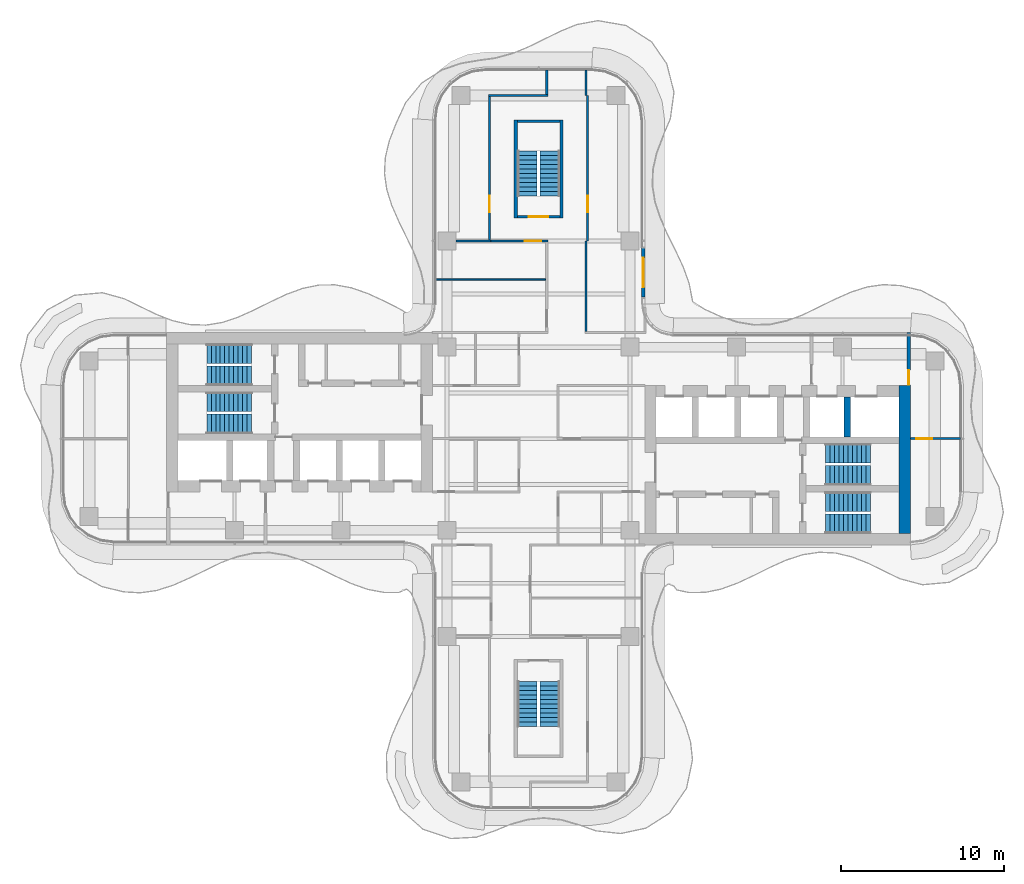
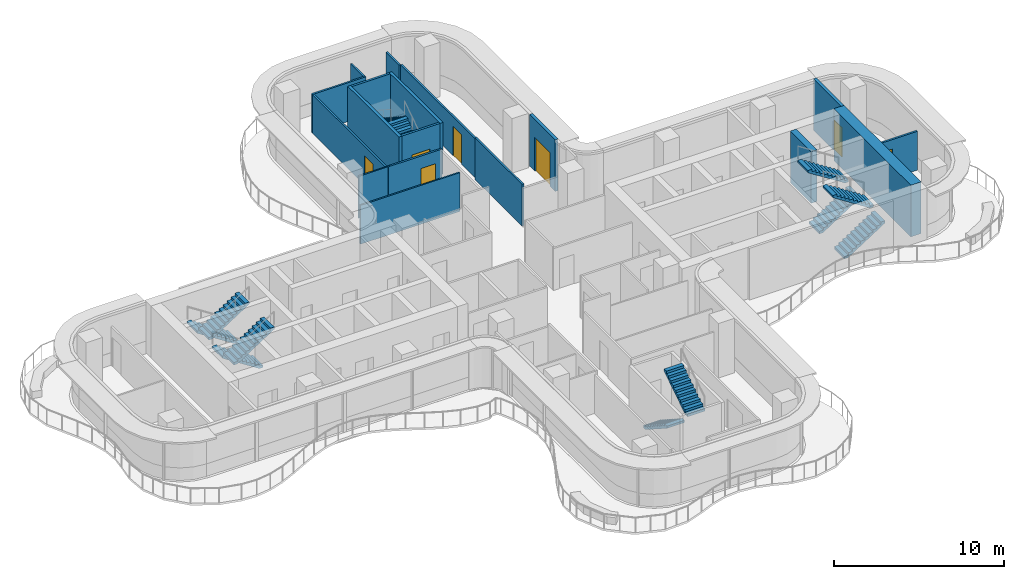
# One storey, part 14 of 16: 18 walls, 12 stair flights, 7 doors, 7 openings, 6 elements without a shape of their own.
"""IFC4 building model written with IfcOpenShell, lengths in metres."""

from ifc_helpers import new_model, si_unit, direction, frame, frame_2d, origin, place, context, subcontext, project, spatial, polyline, rectangle, outline, extrude, source, transform, mapped, material, layer, layer_set, type_object, element, fill, aggregate, save


model = new_model("IFC4")

# Units and contexts
model_context = context("Model", 3, precision=1e-05, world=origin(), true_north=direction((0.0, 1.0)))
body_context = subcontext(model_context, "Body", "Model", "MODEL_VIEW")
ifc_project = project(units=[si_unit("LENGTHUNIT", "METRE"), si_unit("AREAUNIT", "SQUARE_METRE"), si_unit("VOLUMEUNIT", "CUBIC_METRE"), si_unit("PLANEANGLEUNIT", "RADIAN"), si_unit("MASSUNIT", "GRAM", prefix="KILO")], contexts=[model_context])

# Site, building, storey
site_placement = place(None, origin())
site = spatial("IfcSite", under=ifc_project, at=site_placement, CompositionType="ELEMENT")
building_placement = place(site_placement, origin())
building = spatial("IfcBuilding", under=site, at=building_placement, Name="Trellis Farm Tower", CompositionType="ELEMENT")
storey_placement = place(building_placement, frame((0.0, 0.0, 263.60009765625)))
storey = spatial("IfcBuildingStorey", under=building, at=storey_placement, Name="L59", CompositionType="ELEMENT", Elevation=263.60009765625)

# Wall, opening, door
ifc_material_1 = material(Name="Plasterboard on steel studs, mineral wool", Category="steel")
ifc_layer_1 = layer(ifc_material_1, 0.125)
ifc_layer_set_1 = layer_set([ifc_layer_1], Name="PARTITION 125 STUD EI 60")
wall_type_1 = type_object("IfcWallType", Name="PARTITION 125 STUD EI 60", PredefinedType="PARTITIONING", material=ifc_layer_set_1)
wall_1_placement = place(storey_placement, frame((3.0, 21.0, 0.0), z_axis=(0.0, 0.0, 1.0), x_axis=(0.0, -1.0, 0.0)))
wall_1 = element("IfcWall", 1, at=wall_1_placement, inside=storey, type_object=wall_type_1, Name="Partition PW1", PredefinedType="PARTITIONING", context=body_context, shape_type="SweptSolid", body=[
    extrude(rectangle(XDim=8.89990234375, YDim=0.125, at=frame_2d((4.449951171875, 0.0))), origin(), (0.0, 0.0, 1.0), 2.77978515625),
])
shared_shape_1 = source(origin(), body_context, "Body", "SweptSolid", [
    extrude(rectangle(XDim=1.0, YDim=2.10009765625, at=frame_2d((0.5, 1.050048828125))), frame((0.0, 0.072509765625, 0.0), z_axis=(0.0, -1.0, 0.0), x_axis=(1.0, 0.0, 0.0)), (0.0, 0.0, 1.0), 0.14501953125),
])
opening_1_placement = place(wall_1_placement, frame((6.14990234375, 0.0, 0.0)))
opening_1 = element("IfcOpeningElement", 2, at=opening_1_placement, cuts=wall_1, Name="Opening D116", PredefinedType="OPENING", context=body_context, shape_type="MappedRepresentation", body=[
    mapped(shared_shape_1, transform((0.0, 0.0, 0.0))),
])
ifc_material_2 = material(Name="Fire-rated timber door leaf in a hollow metal frame", Category="wood")
door_type_1 = type_object("IfcDoorType", Name="DOOR 1000x2100 FD30S", OperationType="NOTDEFINED", PredefinedType="DOOR", material=ifc_material_2)
shared_shape_2 = source(origin(), body_context, "Body", "SweptSolid", [
    extrude(rectangle(XDim=1.0, YDim=2.10009765625, at=frame_2d((0.5, 1.050048828125))), frame((0.0, 0.02490234375, 0.0), z_axis=(0.0, -1.0, 0.0), x_axis=(1.0, 0.0, 0.0)), (0.0, 0.0, 1.0), 0.050048828125),
])
door_1_placement = place(opening_1_placement, origin())
door_1 = element("IfcDoor", 3, at=door_1_placement, inside=storey, type_object=door_type_1, Name="Door D116", OperationType="SINGLE_SWING_RIGHT", OverallHeight=2.10009765625, OverallWidth=1.0, PredefinedType="DOOR", context=body_context, shape_type="MappedRepresentation", body=[
    mapped(shared_shape_2, transform((0.0, 0.0, 0.0))),
])
fill(opening_1, door_1)

# Walls
ifc_material_3 = material(Name="Concrete C60/75", Category="concrete")
ifc_layer_2 = layer(ifc_material_3, 0.699951171875)
ifc_layer_set_2 = layer_set([ifc_layer_2], Name="CORE OUTER WALL 700 CONCRETE C60/75")
wall_type_2 = type_object("IfcWallType", Name="CORE OUTER WALL 700 CONCRETE C60/75", PredefinedType="SHEAR", material=ifc_layer_set_2)
shared_shape_3 = source(origin(), body_context, "Body", "SweptSolid", [
    extrude(rectangle(XDim=9.050048828125, YDim=0.699951171875, at=frame_2d((4.52490234375, 0.0))), origin(), (0.0, 0.0, 1.0), 3.699951171875),
])
wall_2_placement = place(storey_placement, frame((22.39990234375, -5.800048828125, 0.0), z_axis=(0.0, 0.0, 1.0), x_axis=(0.0, 1.0, 0.0)))
element("IfcWall", 4, at=wall_2_placement, inside=storey, type_object=wall_type_2, Name="Core wall", PredefinedType="SHEAR", context=body_context, shape_type="MappedRepresentation", body=[
    mapped(shared_shape_3, transform((0.0, 0.0, 0.0))),
])
ifc_layer_3 = layer(ifc_material_3, 0.39990234375)
ifc_layer_set_3 = layer_set([ifc_layer_3], Name="CORE INNER WALL 400 CONCRETE C60/75")
wall_type_3 = type_object("IfcWallType", Name="CORE INNER WALL 400 CONCRETE C60/75", PredefinedType="SHEAR", material=ifc_layer_set_3)
shared_shape_4 = source(origin(), body_context, "Body", "SweptSolid", [
    extrude(rectangle(XDim=2.449951171875, YDim=0.39990234375, at=frame_2d((1.22509765625, 0.0))), origin(), (0.0, 0.0, 1.0), 3.699951171875),
])
wall_3_placement = place(storey_placement, frame((18.89990234375, 0.10009765625, 0.0), z_axis=(0.0, 0.0, 1.0), x_axis=(0.0, 1.0, 0.0)))
element("IfcWall", 5, at=wall_3_placement, inside=storey, type_object=wall_type_3, Name="Core wall", PredefinedType="SHEAR", context=body_context, shape_type="MappedRepresentation", body=[
    mapped(shared_shape_4, transform((0.0, 0.0, 0.0))),
])

# Wall, opening, door
ifc_material_4 = material(Name="Masonry blockwork", Category="masonry")
ifc_layer_4 = layer(ifc_material_4, 0.199951171875)
ifc_layer_set_4 = layer_set([ifc_layer_4], Name="FIRE LOBBY PARTITION 200 BLOCKWORK")
wall_type_4 = type_object("IfcWallType", Name="FIRE LOBBY PARTITION 200 BLOCKWORK", PredefinedType="PARTITIONING", material=ifc_layer_set_4)
shared_shape_5 = source(origin(), body_context, "Body", "SweptSolid", [
    extrude(rectangle(XDim=3.25, YDim=0.199951171875, at=frame_2d((1.625, 0.0))), origin(), (0.0, 0.0, 1.0), 3.699951171875),
])
wall_4_placement = place(storey_placement, frame((22.64990234375, 3.25, 0.0), z_axis=(0.0, 0.0, 1.0), x_axis=(0.0, 1.0, 0.0)))
wall_4 = element("IfcWall", 6, at=wall_4_placement, inside=storey, type_object=wall_type_4, Name="Fire-fighting lobby partition", PredefinedType="PARTITIONING", context=body_context, shape_type="MappedRepresentation", body=[
    mapped(shared_shape_5, transform((0.0, 0.0, 0.0))),
])
shared_shape_6 = source(origin(), body_context, "Body", "SweptSolid", [
    extrude(rectangle(XDim=0.89990234375, YDim=2.10009765625, at=frame_2d((0.449951171875, 1.050048828125))), frame((0.0, 0.110107421875, 0.0), z_axis=(0.0, -1.0, 0.0), x_axis=(1.0, 0.0, 0.0)), (0.0, 0.0, 1.0), 0.22021484375),
])
opening_2_placement = place(wall_4_placement, frame((0.050048828125, 0.0, 0.0)))
opening_2 = element("IfcOpeningElement", 7, at=opening_2_placement, cuts=wall_4, Name="Opening DC8", PredefinedType="OPENING", context=body_context, shape_type="MappedRepresentation", body=[
    mapped(shared_shape_6, transform((0.0, 0.0, 0.0))),
])
ifc_material_5 = material(Name="Steel", Category="steel")
door_type_2 = type_object("IfcDoorType", Name="CORE FIRE DOOR 900 X 2100", OperationType="NOTDEFINED", PredefinedType="DOOR", material=ifc_material_5)
shared_shape_7 = source(origin(), body_context, "Body", "SweptSolid", [
    extrude(rectangle(XDim=0.89990234375, YDim=2.10009765625, at=frame_2d((0.449951171875, 1.050048828125))), frame((0.0, 0.02490234375, 0.0), z_axis=(0.0, -1.0, 0.0), x_axis=(1.0, 0.0, 0.0)), (0.0, 0.0, 1.0), 0.050048828125),
])
door_2_placement = place(opening_2_placement, origin())
door_2 = element("IfcDoor", 8, at=door_2_placement, inside=storey, type_object=door_type_2, Name="Core door", OperationType="SINGLE_SWING_RIGHT", OverallHeight=2.10009765625, OverallWidth=0.89990234375, PredefinedType="DOOR", context=body_context, shape_type="MappedRepresentation", body=[
    mapped(shared_shape_7, transform((0.0, 0.0, 0.0))),
])
fill(opening_2, door_2)

# Walls
ifc_layer_5 = layer(ifc_material_3, 0.199951171875)
ifc_layer_set_5 = layer_set([ifc_layer_5], Name="CORE STAIR ENCLOSURE WALL 200 CONCRETE C60/75")
wall_type_5 = type_object("IfcWallType", Name="CORE STAIR ENCLOSURE WALL 200 CONCRETE C60/75", PredefinedType="SHEAR", material=ifc_layer_set_5)
shared_shape_8 = source(origin(), body_context, "Body", "SweptSolid", [
    extrude(rectangle(XDim=6.0, YDim=0.199951171875, at=frame_2d((3.0, 0.0))), origin(), (0.0, 0.0, 1.0), 3.699951171875),
])
for number, where, z_axis, x_axis, name in (
    (9, (-1.39990234375, 13.5, 0.0), (0.0, 0.0, 1.0), (0.0, 1.0, 0.0), "Stair enclosure wall"),
    (10, (1.39990234375, 13.5, 0.0), (0.0, 0.0, 1.0), (0.0, 1.0, 0.0), "Stair enclosure wall"),
):
    element("IfcWall", number, at=place(storey_placement, frame(where, z_axis=z_axis, x_axis=x_axis)), inside=storey, type_object=wall_type_5, Name=name, PredefinedType="SHEAR", context=body_context, shape_type="MappedRepresentation", body=[
        mapped(shared_shape_8, transform((0.0, 0.0, 0.0))),
    ])

# Wall, opening, door
ifc_layer_6 = layer(ifc_material_3, 0.14990234375)
ifc_layer_set_6 = layer_set([ifc_layer_6], Name="CORE STAIR ENCLOSURE WALL 150 CONCRETE C60/75")
wall_type_6 = type_object("IfcWallType", Name="CORE STAIR ENCLOSURE WALL 150 CONCRETE C60/75", PredefinedType="SHEAR", material=ifc_layer_set_6)
shared_shape_9 = source(origin(), body_context, "Body", "SweptSolid", [
    extrude(rectangle(XDim=2.60009765625, YDim=0.14990234375, at=frame_2d((1.300048828125, 0.0))), origin(), (0.0, 0.0, 1.0), 3.699951171875),
])
wall_5_placement = place(storey_placement, frame((-1.300048828125, 13.574951171875, 0.0), z_axis=(0.0, 0.0, 1.0), x_axis=(1.0, 0.0, 0.0)))
wall_5 = element("IfcWall", 11, at=wall_5_placement, inside=storey, type_object=wall_type_6, Name="Stair enclosure wall", PredefinedType="SHEAR", context=body_context, shape_type="MappedRepresentation", body=[
    mapped(shared_shape_9, transform((0.0, 0.0, 0.0))),
])
shared_shape_10 = source(origin(), body_context, "Body", "SweptSolid", [
    extrude(rectangle(XDim=1.199951171875, YDim=2.10009765625, at=frame_2d((0.60009765625, 1.050048828125))), frame((0.0, 0.0849609375, 0.0), z_axis=(0.0, -1.0, 0.0), x_axis=(1.0, 0.0, 0.0)), (0.0, 0.0, 1.0), 0.169921875),
])
opening_3_placement = place(wall_5_placement, frame((0.699951171875, 0.0, 0.0)))
opening_3 = element("IfcOpeningElement", 12, at=opening_3_placement, cuts=wall_5, Name="Opening DC173", PredefinedType="OPENING", context=body_context, shape_type="MappedRepresentation", body=[
    mapped(shared_shape_10, transform((0.0, 0.0, 0.0))),
])
door_type_3 = type_object("IfcDoorType", Name="CORE FIRE DOOR 1200 X 2100", OperationType="NOTDEFINED", PredefinedType="DOOR", material=ifc_material_5)
shared_shape_11 = source(origin(), body_context, "Body", "SweptSolid", [
    extrude(rectangle(XDim=1.199951171875, YDim=2.10009765625, at=frame_2d((0.60009765625, 1.050048828125))), frame((0.0, 0.02490234375, 0.0), z_axis=(0.0, -1.0, 0.0), x_axis=(1.0, 0.0, 0.0)), (0.0, 0.0, 1.0), 0.050048828125),
])
door_3_placement = place(opening_3_placement, origin())
door_3 = element("IfcDoor", 13, at=door_3_placement, inside=storey, type_object=door_type_3, Name="Core door", OperationType="SINGLE_SWING_LEFT", OverallHeight=2.10009765625, OverallWidth=1.199951171875, PredefinedType="DOOR", context=body_context, shape_type="MappedRepresentation", body=[
    mapped(shared_shape_11, transform((0.0, 0.0, 0.0))),
])
fill(opening_3, door_3)

# Wall
wall_6_placement = place(storey_placement, frame((-1.300048828125, 19.425048828125, 0.0), z_axis=(0.0, 0.0, 1.0), x_axis=(1.0, 0.0, 0.0)))
element("IfcWall", 14, at=wall_6_placement, inside=storey, type_object=wall_type_6, Name="Stair enclosure wall", PredefinedType="SHEAR", context=body_context, shape_type="MappedRepresentation", body=[
    mapped(shared_shape_9, transform((0.0, 0.0, 0.0))),
])

# Wall, opening, door
ifc_material_6 = material(Name="Sandstone faced insulated wall", Category="masonry")
ifc_layer_7 = layer(ifc_material_6, 0.199951171875)
ifc_layer_set_7 = layer_set([ifc_layer_7], Name="EXTERNAL INFILL WALL 200")
wall_type_7 = type_object("IfcWallType", Name="EXTERNAL INFILL WALL 200", PredefinedType="SOLIDWALL", material=ifc_layer_set_7)
shared_shape_12 = source(origin(), body_context, "Body", "SweptSolid", [
    extrude(rectangle(XDim=3.0, YDim=0.199951171875, at=frame_2d((1.5, 0.0))), origin(), (0.0, 0.0, 1.0), 3.699951171875),
])
wall_7_placement = place(storey_placement, frame((6.39990234375, 8.665771484375, 0.0), z_axis=(0.0, 0.0, 1.0), x_axis=(0.0, 1.0, 0.0)))
wall_7 = element("IfcWall", 15, at=wall_7_placement, inside=storey, type_object=wall_type_7, Name="EW1 01", PredefinedType="SOLIDWALL", context=body_context, shape_type="MappedRepresentation", body=[
    mapped(shared_shape_12, transform((0.0, 0.0, 0.0))),
])
shared_shape_13 = source(origin(), body_context, "Body", "SweptSolid", [
    extrude(rectangle(XDim=1.800048828125, YDim=2.39990234375, at=frame_2d((0.89990234375, 1.199951171875))), frame((0.0, 0.110107421875, 0.0), z_axis=(0.0, -1.0, 0.0), x_axis=(1.0, 0.0, 0.0)), (0.0, 0.0, 1.0), 0.22021484375),
])
opening_4_placement = place(wall_7_placement, frame((0.60009765625, 0.0, 0.0)))
opening_4 = element("IfcOpeningElement", 16, at=opening_4_placement, cuts=wall_7, Name="Opening ED1", PredefinedType="OPENING", context=body_context, shape_type="MappedRepresentation", body=[
    mapped(shared_shape_13, transform((0.0, 0.0, 0.0))),
])
ifc_material_7 = material(Name="Aluminium framed glazed door", Category="aluminium")
door_type_4 = type_object("IfcDoorType", Name="BALCONY DOOR 1800x2400", OperationType="DOUBLE_DOOR_SINGLE_SWING", PredefinedType="DOOR", material=ifc_material_7)
shared_shape_14 = source(origin(), body_context, "Body", "SweptSolid", [
    extrude(rectangle(XDim=1.800048828125, YDim=2.39990234375, at=frame_2d((0.89990234375, 1.199951171875))), frame((0.0, 0.02490234375, 0.0), z_axis=(0.0, -1.0, 0.0), x_axis=(1.0, 0.0, 0.0)), (0.0, 0.0, 1.0), 0.050048828125),
])
door_4_placement = place(opening_4_placement, origin())
door_4 = element("IfcDoor", 17, at=door_4_placement, inside=storey, type_object=door_type_4, Name="Balcony door", OperationType="DOUBLE_DOOR_SINGLE_SWING", OverallHeight=2.39990234375, OverallWidth=1.800048828125, PredefinedType="DOOR", context=body_context, shape_type="MappedRepresentation", body=[
    mapped(shared_shape_14, transform((0.0, 0.0, 0.0))),
])
fill(opening_4, door_4)

# Wall
shared_shape_15 = source(origin(), body_context, "Body", "SweptSolid", [
    extrude(rectangle(XDim=5.53759765625, YDim=0.125, at=frame_2d((2.768798828125, 0.0))), origin(), (0.0, 0.0, 1.0), 2.99658203125),
])
wall_8_placement = place(storey_placement, frame((2.89990234375, 12.10009765625, 0.0), z_axis=(0.0, 0.0, 1.0), x_axis=(0.0, -1.0, 0.0)))
element("IfcWall", 18, at=wall_8_placement, inside=storey, type_object=wall_type_1, Name="Partition PW1", PredefinedType="PARTITIONING", context=body_context, shape_type="MappedRepresentation", body=[
    mapped(shared_shape_15, transform((0.0, 0.0, 0.0))),
])

# Wall, opening, door
shared_shape_16 = source(origin(), body_context, "Body", "SweptSolid", [
    extrude(rectangle(XDim=3.625, YDim=0.125, at=frame_2d((1.8125, 0.0))), origin(), (0.0, 0.0, 1.0), 2.99658203125),
])
wall_9_placement = place(storey_placement, frame((0.5625, 12.10009765625, 0.0), z_axis=(0.0, 0.0, 1.0), x_axis=(-1.0, 0.0, 0.0)))
wall_9 = element("IfcWall", 19, at=wall_9_placement, inside=storey, type_object=wall_type_1, Name="Partition PW1", PredefinedType="PARTITIONING", context=body_context, shape_type="MappedRepresentation", body=[
    mapped(shared_shape_16, transform((0.0, 0.0, 0.0))),
])
opening_5_placement = place(wall_9_placement, frame((0.41259765625, 0.0, 0.0)))
opening_5 = element("IfcOpeningElement", 20, at=opening_5_placement, cuts=wall_9, Name="Opening D114", PredefinedType="OPENING", context=body_context, shape_type="MappedRepresentation", body=[
    mapped(shared_shape_1, transform((0.0, 0.0, 0.0))),
])
door_5_placement = place(opening_5_placement, origin())
door_5 = element("IfcDoor", 21, at=door_5_placement, inside=storey, type_object=door_type_1, Name="Door D114", OperationType="SINGLE_SWING_LEFT", OverallHeight=2.10009765625, OverallWidth=1.0, PredefinedType="DOOR", context=body_context, shape_type="MappedRepresentation", body=[
    mapped(shared_shape_2, transform((0.0, 0.0, 0.0))),
])
fill(opening_5, door_5)

# Walls
shared_shape_17 = source(origin(), body_context, "Body", "SweptSolid", [
    extrude(rectangle(XDim=1.487548828125, YDim=0.125, at=frame_2d((0.74365234375, 0.0))), origin(), (0.0, 0.0, 1.0), 2.77978515625),
])
wall_10_placement = place(storey_placement, frame((0.5, 22.550048828125, 0.0), z_axis=(0.0, 0.0, 1.0), x_axis=(0.0, -1.0, 0.0)))
element("IfcWall", 22, at=wall_10_placement, inside=storey, type_object=wall_type_1, Name="Partition PW1", PredefinedType="PARTITIONING", context=body_context, shape_type="MappedRepresentation", body=[
    mapped(shared_shape_17, transform((0.0, 0.0, 0.0))),
])
ifc_material_8 = material(Name="Plasterboard on steel studs", Category="steel")
ifc_layer_8 = layer(ifc_material_8, 0.10009765625)
ifc_layer_set_8 = layer_set([ifc_layer_8], Name="PARTITION 100 STUD EI 30")
wall_type_8 = type_object("IfcWallType", Name="PARTITION 100 STUD EI 30", PredefinedType="PARTITIONING", material=ifc_layer_set_8)
shared_shape_18 = source(origin(), body_context, "Body", "SweptSolid", [
    extrude(rectangle(XDim=2.112548828125, YDim=0.10009765625, at=frame_2d((1.05615234375, 0.0))), origin(), (0.0, 0.0, 1.0), 2.99658203125),
])
wall_11_placement = place(storey_placement, frame((-5.050048828125, 12.10009765625, 0.0), z_axis=(0.0, 0.0, 1.0), x_axis=(1.0, 0.0, 0.0)))
element("IfcWall", 23, at=wall_11_placement, inside=storey, type_object=wall_type_8, Name="Partition PW2", PredefinedType="PARTITIONING", context=body_context, shape_type="MappedRepresentation", body=[
    mapped(shared_shape_18, transform((0.0, 0.0, 0.0))),
])

# Wall, opening, door
shared_shape_19 = source(origin(), body_context, "Body", "SweptSolid", [
    extrude(rectangle(XDim=8.78759765625, YDim=0.125, at=frame_2d((4.393798828125, 0.0))), origin(), (0.0, 0.0, 1.0), 2.77978515625),
])
wall_12_placement = place(storey_placement, frame((-3.0, 12.14990234375, 0.0), z_axis=(0.0, 0.0, 1.0), x_axis=(0.0, 1.0, 0.0)))
wall_12 = element("IfcWall", 24, at=wall_12_placement, inside=storey, type_object=wall_type_1, Name="Partition PW1", PredefinedType="PARTITIONING", context=body_context, shape_type="MappedRepresentation", body=[
    mapped(shared_shape_19, transform((0.0, 0.0, 0.0))),
])
opening_6_placement = place(wall_12_placement, frame((1.699951171875, 0.0, 0.0)))
opening_6 = element("IfcOpeningElement", 25, at=opening_6_placement, cuts=wall_12, Name="Opening D115", PredefinedType="OPENING", context=body_context, shape_type="MappedRepresentation", body=[
    mapped(shared_shape_1, transform((0.0, 0.0, 0.0))),
])
door_6_placement = place(opening_6_placement, origin())
door_6 = element("IfcDoor", 26, at=door_6_placement, inside=storey, type_object=door_type_1, Name="Door D115", OperationType="SINGLE_SWING_LEFT", OverallHeight=2.10009765625, OverallWidth=1.0, PredefinedType="DOOR", context=body_context, shape_type="MappedRepresentation", body=[
    mapped(shared_shape_2, transform((0.0, 0.0, 0.0))),
])
fill(opening_6, door_6)

shared_shape_20 = source(origin(), body_context, "Body", "SweptSolid", [
    extrude(rectangle(XDim=3.050048828125, YDim=0.125, at=frame_2d((1.52490234375, 0.0))), origin(), (0.0, 0.0, 1.0), 2.77978515625),
])
wall_13_placement = place(storey_placement, frame((25.800048828125, 0.0, 0.0), z_axis=(0.0, 0.0, 1.0), x_axis=(-1.0, 0.0, 0.0)))
wall_13 = element("IfcWall", 27, at=wall_13_placement, inside=storey, type_object=wall_type_1, Name="Partition PW1", PredefinedType="PARTITIONING", context=body_context, shape_type="MappedRepresentation", body=[
    mapped(shared_shape_20, transform((0.0, 0.0, 0.0))),
])
opening_7_placement = place(wall_13_placement, frame((1.699951171875, 0.0, 0.0)))
opening_7 = element("IfcOpeningElement", 28, at=opening_7_placement, cuts=wall_13, Name="Opening D109", PredefinedType="OPENING", context=body_context, shape_type="MappedRepresentation", body=[
    mapped(shared_shape_1, transform((0.0, 0.0, 0.0))),
])
door_7_placement = place(opening_7_placement, origin())
door_7 = element("IfcDoor", 29, at=door_7_placement, inside=storey, type_object=door_type_1, Name="Door D109", OperationType="SINGLE_SWING_RIGHT", OverallHeight=2.10009765625, OverallWidth=1.0, PredefinedType="DOOR", context=body_context, shape_type="MappedRepresentation", body=[
    mapped(shared_shape_2, transform((0.0, 0.0, 0.0))),
])
fill(opening_7, door_7)

# Walls
shared_shape_21 = source(origin(), body_context, "Body", "SweptSolid", [
    extrude(rectangle(XDim=1.550048828125, YDim=0.125, at=frame_2d((0.77490234375, 0.0))), origin(), (0.0, 0.0, 1.0), 2.77978515625),
])
wall_14_placement = place(storey_placement, frame((2.89990234375, 22.550048828125, 0.0), z_axis=(0.0, 0.0, 1.0), x_axis=(0.0, -1.0, 0.0)))
element("IfcWall", 30, at=wall_14_placement, inside=storey, type_object=wall_type_1, Name="Partition PW1", PredefinedType="PARTITIONING", context=body_context, shape_type="MappedRepresentation", body=[
    mapped(shared_shape_21, transform((0.0, 0.0, 0.0))),
])
shared_shape_22 = source(origin(), body_context, "Body", "SweptSolid", [
    extrude(rectangle(XDim=6.737548828125, YDim=0.10009765625, at=frame_2d((3.36865234375, 0.0))), origin(), (0.0, 0.0, 1.0), 2.77978515625),
])
wall_15_placement = place(storey_placement, frame((-6.300048828125, 9.75, 0.0), z_axis=(0.0, 0.0, 1.0), x_axis=(1.0, 0.0, 0.0)))
element("IfcWall", 31, at=wall_15_placement, inside=storey, type_object=wall_type_8, Name="Partition PW2", PredefinedType="PARTITIONING", context=body_context, shape_type="MappedRepresentation", body=[
    mapped(shared_shape_22, transform((0.0, 0.0, 0.0))),
])
shared_shape_23 = source(origin(), body_context, "Body", "SweptSolid", [
    extrude(rectangle(XDim=3.625, YDim=0.125, at=frame_2d((1.8125, 0.0))), origin(), (0.0, 0.0, 1.0), 2.77978515625),
])
wall_16_placement = place(storey_placement, frame((-3.0625, 21.0, 0.0), z_axis=(0.0, 0.0, 1.0), x_axis=(1.0, 0.0, 0.0)))
element("IfcWall", 32, at=wall_16_placement, inside=storey, type_object=wall_type_1, Name="Partition PW1", PredefinedType="PARTITIONING", context=body_context, shape_type="MappedRepresentation", body=[
    mapped(shared_shape_23, transform((0.0, 0.0, 0.0))),
])

# Stair, stair flights
ifc_material_9 = material(Name="Concrete C50/60", Category="concrete")
stair_type = type_object("IfcStairType", Name="CORE EXIT STAIR 22 RISERS 177 MM", PredefinedType="HALF_TURN_STAIR", material=ifc_material_9)
placement = place(storey_placement, origin())
stair_1 = element("IfcStair", 33, at=placement, inside=storey, type_object=stair_type, Name="Exit stair N", PredefinedType="HALF_TURN_STAIR")
stair_flight_type = type_object("IfcStairFlightType", Name="STAIR FLIGHT 11 RISERS 177 MM", PredefinedType="STRAIGHT", material=ifc_material_9)
shared_shape_24 = source(origin(), body_context, "Body", "SweptSolid", [
    extrude(outline(polyline([(0.0, 0.0), (0.0, 0.17724609375), (0.27490234375, 0.17724609375), (0.27490234375, 0.3544921875), (0.550048828125, 0.3544921875), (0.550048828125, 0.53173828125), (0.824951171875, 0.53173828125), (0.824951171875, 0.708984375), (1.10009765625, 0.708984375), (1.10009765625, 0.886474609375), (1.375, 0.886474609375), (1.375, 1.063720703125), (1.64990234375, 1.063720703125), (1.64990234375, 1.240966796875), (1.925048828125, 1.240966796875), (1.925048828125, 1.418212890625), (2.199951171875, 1.418212890625), (2.199951171875, 1.595458984375), (2.47509765625, 1.595458984375), (2.47509765625, 1.772705078125), (2.75, 1.772705078125), (2.75, 1.949951171875), (2.75, 1.6181640625), (0.23974609375, 0.0), (0.0, 0.0)])), frame((0.0, 0.60009765625, 0.0), z_axis=(0.0, -1.0, 0.0), x_axis=(1.0, 0.0, 0.0)), (0.0, 0.0, 1.0), 1.199951171875),
])
stair_flight_1_placement = place(storey_placement, frame((0.699951171875, 14.85009765625, 0.0), z_axis=(0.0, 0.0, 1.0), x_axis=(0.0, 1.0, 0.0)))
stair_flight_1 = element("IfcStairFlight", 34, at=stair_flight_1_placement, type_object=stair_flight_type, Name="STN flight 1", NumberOfRisers=11, NumberOfTreads=10, PredefinedType="STRAIGHT", RiserHeight=0.177272727, TreadLength=0.275, context=body_context, shape_type="MappedRepresentation", body=[
    mapped(shared_shape_24, transform((0.0, 0.0, 0.0))),
])
stair_flight_2_placement = place(storey_placement, frame((-0.699951171875, 17.60009765625, 1.949951171875), z_axis=(0.0, 0.0, 1.0), x_axis=(0.0, -1.0, 0.0)))
stair_flight_2 = element("IfcStairFlight", 35, at=stair_flight_2_placement, type_object=stair_flight_type, Name="STN flight 2", NumberOfRisers=11, NumberOfTreads=10, PredefinedType="STRAIGHT", RiserHeight=0.177272727, TreadLength=0.275, context=body_context, shape_type="MappedRepresentation", body=[
    mapped(shared_shape_24, transform((0.0, 0.0, 0.0))),
])
aggregate(stair_1, [stair_flight_1, stair_flight_2])

stair_2 = element("IfcStair", 36, at=placement, inside=storey, type_object=stair_type, Name="Exit stair S", PredefinedType="HALF_TURN_STAIR")
stair_flight_3_placement = place(storey_placement, frame((-0.699951171875, -14.85009765625, 0.0), z_axis=(0.0, 0.0, 1.0), x_axis=(0.0, -1.0, 0.0)))
stair_flight_3 = element("IfcStairFlight", 37, at=stair_flight_3_placement, type_object=stair_flight_type, Name="STS flight 1", NumberOfRisers=11, NumberOfTreads=10, PredefinedType="STRAIGHT", RiserHeight=0.177272727, TreadLength=0.275, context=body_context, shape_type="MappedRepresentation", body=[
    mapped(shared_shape_24, transform((0.0, 0.0, 0.0))),
])
stair_flight_4_placement = place(storey_placement, frame((0.699951171875, -17.60009765625, 1.949951171875), z_axis=(0.0, 0.0, 1.0), x_axis=(0.0, 1.0, 0.0)))
stair_flight_4 = element("IfcStairFlight", 38, at=stair_flight_4_placement, type_object=stair_flight_type, Name="STS flight 2", NumberOfRisers=11, NumberOfTreads=10, PredefinedType="STRAIGHT", RiserHeight=0.177272727, TreadLength=0.275, context=body_context, shape_type="MappedRepresentation", body=[
    mapped(shared_shape_24, transform((0.0, 0.0, 0.0))),
])
aggregate(stair_2, [stair_flight_3, stair_flight_4])

stair_3 = element("IfcStair", 39, at=placement, inside=storey, type_object=stair_type, Name="Exit stair E1", PredefinedType="HALF_TURN_STAIR")
stair_flight_5_placement = place(storey_placement, frame((17.550048828125, -5.199951171875, 0.0), z_axis=(0.0, 0.0, 1.0), x_axis=(1.0, 0.0, 0.0)))
stair_flight_5 = element("IfcStairFlight", 40, at=stair_flight_5_placement, type_object=stair_flight_type, Name="STE1 flight 1", NumberOfRisers=11, NumberOfTreads=10, PredefinedType="STRAIGHT", RiserHeight=0.177272727, TreadLength=0.275, context=body_context, shape_type="MappedRepresentation", body=[
    mapped(shared_shape_24, transform((0.0, 0.0, 0.0))),
])
stair_flight_6_placement = place(storey_placement, frame((20.300048828125, -3.85009765625, 1.949951171875), z_axis=(0.0, 0.0, 1.0), x_axis=(-1.0, 0.0, 0.0)))
stair_flight_6 = element("IfcStairFlight", 41, at=stair_flight_6_placement, type_object=stair_flight_type, Name="STE1 flight 2", NumberOfRisers=11, NumberOfTreads=10, PredefinedType="STRAIGHT", RiserHeight=0.177272727, TreadLength=0.275, context=body_context, shape_type="MappedRepresentation", body=[
    mapped(shared_shape_24, transform((0.0, 0.0, 0.0))),
])
aggregate(stair_3, [stair_flight_5, stair_flight_6])

stair_4 = element("IfcStair", 42, at=placement, inside=storey, type_object=stair_type, Name="Exit stair E2", PredefinedType="HALF_TURN_STAIR")
stair_flight_7_placement = place(storey_placement, frame((17.550048828125, -2.25, 0.0), z_axis=(0.0, 0.0, 1.0), x_axis=(1.0, 0.0, 0.0)))
stair_flight_7 = element("IfcStairFlight", 43, at=stair_flight_7_placement, type_object=stair_flight_type, Name="STE2 flight 1", NumberOfRisers=11, NumberOfTreads=10, PredefinedType="STRAIGHT", RiserHeight=0.177272727, TreadLength=0.275, context=body_context, shape_type="MappedRepresentation", body=[
    mapped(shared_shape_24, transform((0.0, 0.0, 0.0))),
])
stair_flight_8_placement = place(storey_placement, frame((20.300048828125, -0.89990234375, 1.949951171875), z_axis=(0.0, 0.0, 1.0), x_axis=(-1.0, 0.0, 0.0)))
stair_flight_8 = element("IfcStairFlight", 44, at=stair_flight_8_placement, type_object=stair_flight_type, Name="STE2 flight 2", NumberOfRisers=11, NumberOfTreads=10, PredefinedType="STRAIGHT", RiserHeight=0.177272727, TreadLength=0.275, context=body_context, shape_type="MappedRepresentation", body=[
    mapped(shared_shape_24, transform((0.0, 0.0, 0.0))),
])
aggregate(stair_4, [stair_flight_7, stair_flight_8])

stair_5 = element("IfcStair", 45, at=placement, inside=storey, type_object=stair_type, Name="Exit stair W1", PredefinedType="HALF_TURN_STAIR")
stair_flight_9_placement = place(storey_placement, frame((-17.550048828125, 5.199951171875, 0.0), z_axis=(0.0, 0.0, 1.0), x_axis=(-1.0, 0.0, 0.0)))
stair_flight_9 = element("IfcStairFlight", 46, at=stair_flight_9_placement, type_object=stair_flight_type, Name="STW1 flight 1", NumberOfRisers=11, NumberOfTreads=10, PredefinedType="STRAIGHT", RiserHeight=0.177272727, TreadLength=0.275, context=body_context, shape_type="MappedRepresentation", body=[
    mapped(shared_shape_24, transform((0.0, 0.0, 0.0))),
])
stair_flight_10_placement = place(storey_placement, frame((-20.300048828125, 3.85009765625, 1.949951171875), z_axis=(0.0, 0.0, 1.0), x_axis=(1.0, 0.0, 0.0)))
stair_flight_10 = element("IfcStairFlight", 47, at=stair_flight_10_placement, type_object=stair_flight_type, Name="STW1 flight 2", NumberOfRisers=11, NumberOfTreads=10, PredefinedType="STRAIGHT", RiserHeight=0.177272727, TreadLength=0.275, context=body_context, shape_type="MappedRepresentation", body=[
    mapped(shared_shape_24, transform((0.0, 0.0, 0.0))),
])
aggregate(stair_5, [stair_flight_9, stair_flight_10])

stair_6 = element("IfcStair", 48, at=placement, inside=storey, type_object=stair_type, Name="Exit stair W2", PredefinedType="HALF_TURN_STAIR")
stair_flight_11_placement = place(storey_placement, frame((-17.550048828125, 2.25, 0.0), z_axis=(0.0, 0.0, 1.0), x_axis=(-1.0, 0.0, 0.0)))
stair_flight_11 = element("IfcStairFlight", 49, at=stair_flight_11_placement, type_object=stair_flight_type, Name="STW2 flight 1", NumberOfRisers=11, NumberOfTreads=10, PredefinedType="STRAIGHT", RiserHeight=0.177272727, TreadLength=0.275, context=body_context, shape_type="MappedRepresentation", body=[
    mapped(shared_shape_24, transform((0.0, 0.0, 0.0))),
])
stair_flight_12_placement = place(storey_placement, frame((-20.300048828125, 0.89990234375, 1.949951171875), z_axis=(0.0, 0.0, 1.0), x_axis=(1.0, 0.0, 0.0)))
stair_flight_12 = element("IfcStairFlight", 50, at=stair_flight_12_placement, type_object=stair_flight_type, Name="STW2 flight 2", NumberOfRisers=11, NumberOfTreads=10, PredefinedType="STRAIGHT", RiserHeight=0.177272727, TreadLength=0.275, context=body_context, shape_type="MappedRepresentation", body=[
    mapped(shared_shape_24, transform((0.0, 0.0, 0.0))),
])
aggregate(stair_6, [stair_flight_11, stair_flight_12])

save(model, "model.ifc")
